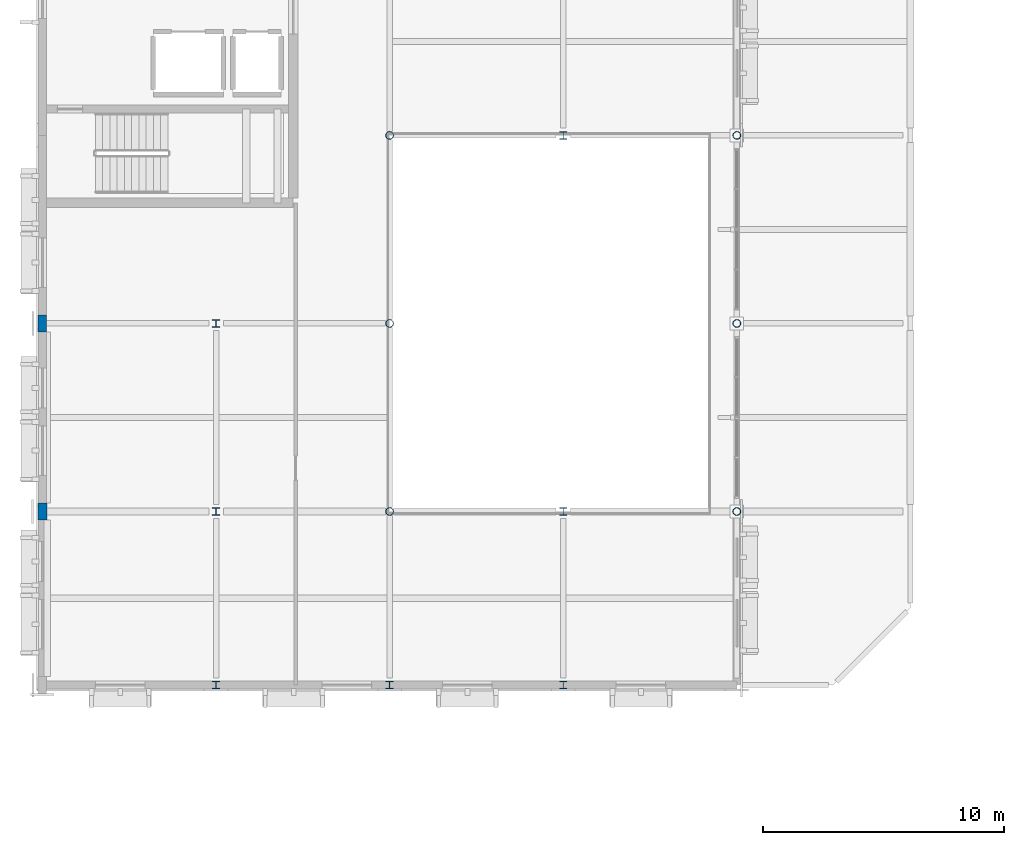
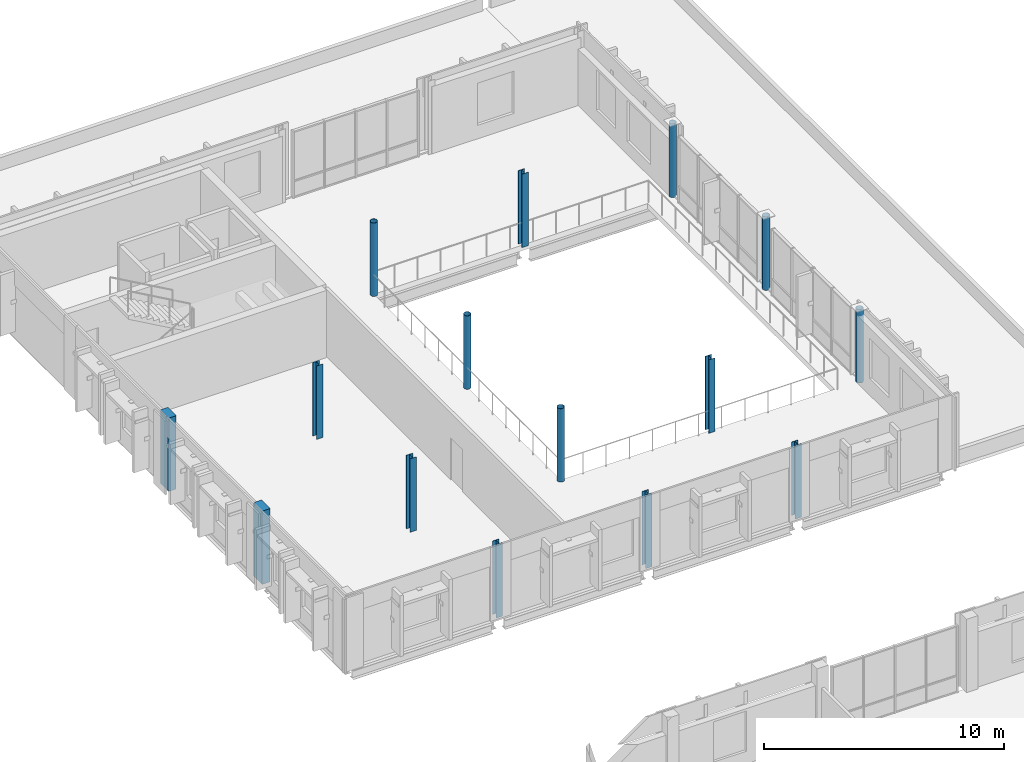
# One storey, part 2 of 73: 15 columns.
"""IFC4 building model written with IfcOpenShell, lengths in metres."""

from ifc_helpers import new_model, si_unit, direction, frame, origin, origin_2d, place, context, subcontext, project, spatial, rectangle, hollow_circle, i_section, extrude, material, material_profile, profile_set, type_object, element, save


model = new_model("IFC4")

# Units and contexts
model_context = context("Model", 3, precision=1e-05, world=origin(), true_north=direction((0.0, 1.0)))
body_context = subcontext(model_context, "Body", "Model", "MODEL_VIEW")
ifc_project = project(units=[si_unit("LENGTHUNIT", "METRE"), si_unit("AREAUNIT", "SQUARE_METRE"), si_unit("VOLUMEUNIT", "CUBIC_METRE"), si_unit("PLANEANGLEUNIT", "RADIAN"), si_unit("MASSUNIT", "GRAM", prefix="KILO")], contexts=[model_context])

# Site, building, storey
site_placement = place(None, origin())
site = spatial("IfcSite", under=ifc_project, at=site_placement, CompositionType="ELEMENT")
building_placement = place(site_placement, origin())
building = spatial("IfcBuilding", under=site, at=building_placement, Name="Vervanel Yard Central Library", CompositionType="ELEMENT")
storey_placement = place(building_placement, frame((0.0, 0.0, 12.780029296875)))
storey = spatial("IfcBuildingStorey", under=building, at=storey_placement, Name="L03", CompositionType="ELEMENT", Elevation=12.780029296875)

# Columns
ifc_material_1 = material(Name="Steel ASTM A500 Grade C", Category="steel")
ifc_material_profile_1 = material_profile(ifc_material_1, hollow_circle(Radius=0.161865234375, WallThickness=0.01171875, at=origin_2d()), Name="HSS12.750X0.500", Category="steel")
ifc_profile_set_1 = profile_set([ifc_material_profile_1], Name="Steel ASTM A500 Grade C")
column_type_1 = type_object("IfcColumnType", Name="Atrium Column HSS12.750X0.500", PredefinedType="COLUMN", material=ifc_profile_set_1)
for number, where, z_axis, x_axis, name in (
    (1, (14.39990234375, 43.199951171875, 0.0), (0.0, 0.0, 1.0), (1.0, 0.0, 0.0), "L03 Atrium Column HSS12.750X0.500 (14.4, 43.2)"),
    (2, (14.39990234375, 51.0, 0.0), (0.0, 0.0, 1.0), (1.0, 0.0, 0.0), "L03 Atrium Column HSS12.750X0.500 (14.4, 51.0)"),
    (3, (14.39990234375, 58.800048828125, 0.0), (0.0, 0.0, 1.0), (1.0, 0.0, 0.0), "L03 Atrium Column HSS12.750X0.500 (14.4, 58.8)"),
    (4, (28.800048828125, 43.199951171875, 0.0), (0.0, 0.0, 1.0), (1.0, 0.0, 0.0), "L03 Atrium Column HSS12.750X0.500 (28.8, 43.2)"),
    (5, (28.800048828125, 51.0, 0.0), (0.0, 0.0, 1.0), (1.0, 0.0, 0.0), "L03 Atrium Column HSS12.750X0.500 (28.8, 51.0)"),
    (6, (28.800048828125, 58.800048828125, 0.0), (0.0, 0.0, 1.0), (1.0, 0.0, 0.0), "L03 Atrium Column HSS12.750X0.500 (28.8, 58.8)"),
):
    element("IfcColumn", number, at=place(storey_placement, frame(where, z_axis=z_axis, x_axis=x_axis)), inside=storey, type_object=column_type_1, Name=name, PredefinedType="COLUMN", context=body_context, shape_type="SweptSolid", body=[
        extrude(hollow_circle(Radius=0.161865234375, WallThickness=0.01171875, at=origin_2d()), origin(), (0.0, 0.0, 1.0), 3.739990234375),
    ])
ifc_material_2 = material(Name="Concrete C40/50", Category="concrete")
ifc_material_profile_2 = material_profile(ifc_material_2, rectangle(XDim=0.35009765625, YDim=0.699951171875, at=origin_2d()), Name="RC 350x700", Category="concrete")
ifc_profile_set_2 = profile_set([ifc_material_profile_2], Name="Concrete C40/50")
column_type_2 = type_object("IfcColumnType", Name="Perimeter Pilaster 350x700", PredefinedType="PILASTER", material=ifc_profile_set_2)
column_1_placement = place(storey_placement, frame((0.0, 51.0, 0.0), z_axis=(0.0, 0.0, 1.0), x_axis=(1.0, 0.0, 0.0)))
element("IfcColumn", 7, at=column_1_placement, inside=storey, type_object=column_type_2, Name="L03 Perimeter Pilaster 350x700 (0.0, 51.0)", PredefinedType="PILASTER", context=body_context, shape_type="SweptSolid", body=[
    extrude(rectangle(XDim=0.35009765625, YDim=0.699951171875, at=origin_2d()), origin(), (0.0, 0.0, 1.0), 3.739990234375),
])
ifc_material_profile_3 = material_profile(ifc_material_2, rectangle(XDim=0.3798828125, YDim=0.719970703125, at=origin_2d()), Name="RC 380x720", Category="concrete")
ifc_profile_set_3 = profile_set([ifc_material_profile_3], Name="Concrete C40/50")
column_type_3 = type_object("IfcColumnType", Name="Perimeter Pilaster 380x720", PredefinedType="PILASTER", material=ifc_profile_set_3)
column_2_placement = place(storey_placement, frame((0.0, 43.199951171875, 0.0), z_axis=(0.0, 0.0, 1.0), x_axis=(1.0, 0.0, 0.0)))
element("IfcColumn", 8, at=column_2_placement, inside=storey, type_object=column_type_3, Name="L03 Perimeter Pilaster 380x720 (0.0, 43.2)", PredefinedType="PILASTER", context=body_context, shape_type="SweptSolid", body=[
    extrude(rectangle(XDim=0.3798828125, YDim=0.719970703125, at=origin_2d()), origin(), (0.0, 0.0, 1.0), 3.739990234375),
])
ifc_material_3 = material(Name="Steel ASTM A992 Grade 50", Category="steel")
ifc_material_profile_4 = material_profile(ifc_material_3, i_section(OverallWidth=0.307373046875, OverallDepth=0.31494140625, WebThickness=0.011962890625, FlangeThickness=0.0185546875, at=origin_2d()), Name="W12X79", Category="steel")
ifc_profile_set_4 = profile_set([ifc_material_profile_4], Name="Steel ASTM A992 Grade 50")
column_type_4 = type_object("IfcColumnType", Name="Steel Column W12X79", PredefinedType="COLUMN", material=ifc_profile_set_4)
for number, where, z_axis, x_axis, name in (
    (9, (7.199951171875, 36.0, 0.0), (0.0, 0.0, 1.0), (1.0, 0.0, 0.0), "L03 Steel Column W12X79 (7.2, 36.0)"),
    (10, (7.199951171875, 43.199951171875, 0.0), (0.0, 0.0, 1.0), (1.0, 0.0, 0.0), "L03 Steel Column W12X79 (7.2, 43.2)"),
    (11, (7.199951171875, 51.0, 0.0), (0.0, 0.0, 1.0), (1.0, 0.0, 0.0), "L03 Steel Column W12X79 (7.2, 51.0)"),
    (12, (14.39990234375, 36.0, 0.0), (0.0, 0.0, 1.0), (1.0, 0.0, 0.0), "L03 Steel Column W12X79 (14.4, 36.0)"),
    (13, (21.60009765625, 36.0, 0.0), (0.0, 0.0, 1.0), (1.0, 0.0, 0.0), "L03 Steel Column W12X79 (21.6, 36.0)"),
    (14, (21.60009765625, 43.199951171875, 0.0), (0.0, 0.0, 1.0), (1.0, 0.0, 0.0), "L03 Steel Column W12X79 (21.6, 43.2)"),
    (15, (21.60009765625, 58.800048828125, 0.0), (0.0, 0.0, 1.0), (1.0, 0.0, 0.0), "L03 Steel Column W12X79 (21.6, 58.8)"),
):
    element("IfcColumn", number, at=place(storey_placement, frame(where, z_axis=z_axis, x_axis=x_axis)), inside=storey, type_object=column_type_4, Name=name, PredefinedType="COLUMN", context=body_context, shape_type="SweptSolid", body=[
        extrude(i_section(OverallWidth=0.307373046875, OverallDepth=0.31494140625, WebThickness=0.011962890625, FlangeThickness=0.0185546875, at=origin_2d()), origin(), (0.0, 0.0, 1.0), 3.739990234375),
    ])

save(model, "model.ifc")
